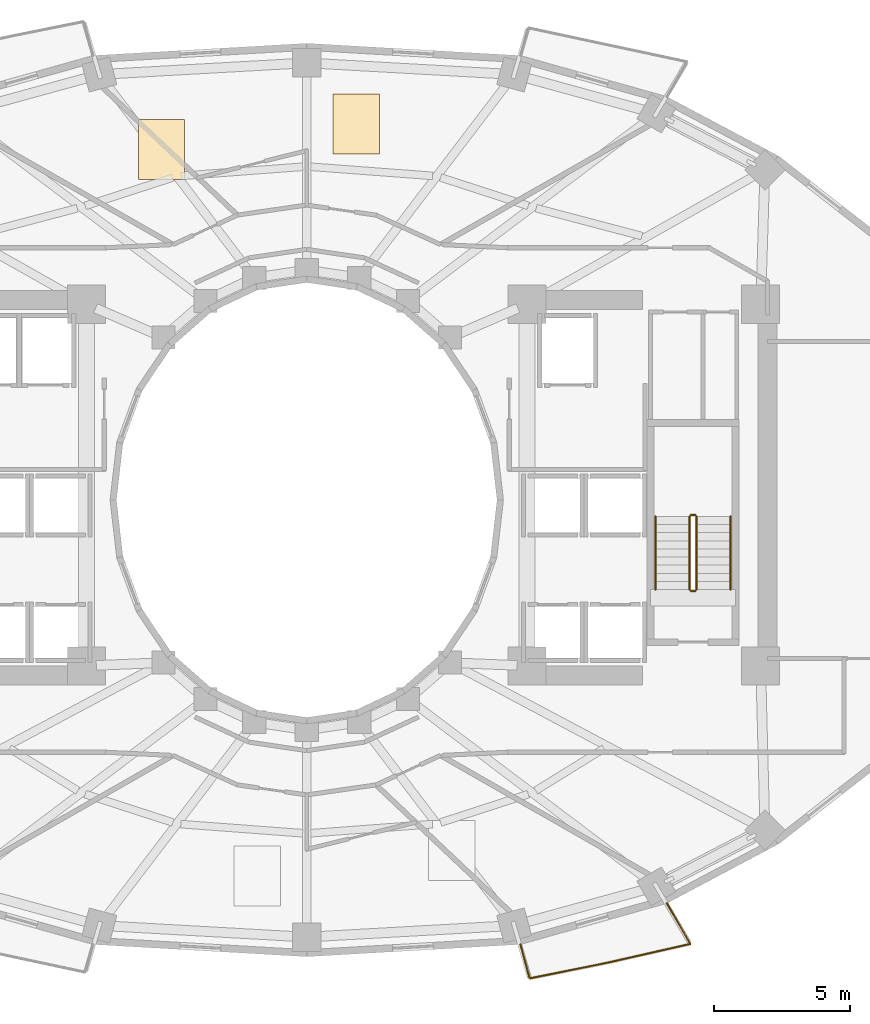
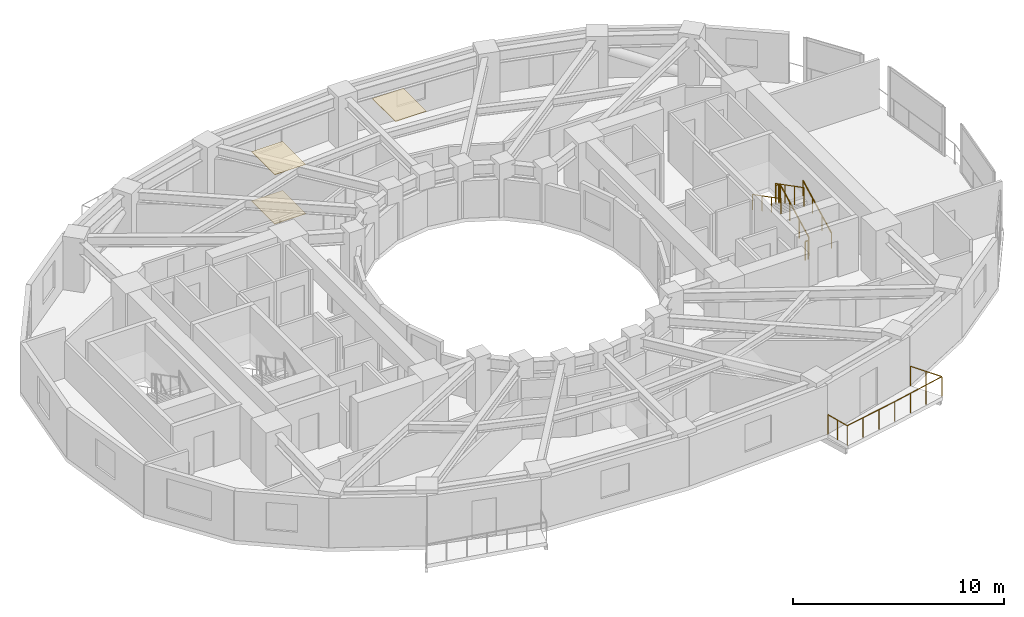
# One storey, part 13 of 14: 7 railings, 3 coverings.
"""IFC4 building model written with IfcOpenShell, lengths in metres."""

import ifcopenshell
import ifcopenshell.guid

model = None  # the IFC model being written
_history = None  # IfcOwnerHistory: only IFC2X3 demands one
_inside = {}  # id of a spatial element -> (the spatial element, [elements in it])
_under = {}  # id of a project, library or spatial element -> (it, [spatial elements below it])
_declared = {}  # id of a project -> (the project, [libraries it declares])
_typed = {}  # id of a type object -> (the type object, [elements of that type])
_made_of = {}  # id of a material, layer set ... -> (it, [elements and type objects made of it])


def new_model(schema):
    """Start an empty IFC model of exactly this schema.

    Asked for "IFC4X3", IfcOpenShell would pick the latest addendum, in which some entities
    have other attributes; the version numbers below select the first issue.
    IFC2X3 requires an IfcOwnerHistory on every rooted entity: one is made here for all.
    """
    global model, _history
    if schema == "IFC4X3":
        model = ifcopenshell.file(schema_version=(4, 3, 0, 0))
    else:
        model = ifcopenshell.file(schema=schema)
    _inside.clear()
    _under.clear()
    _declared.clear()
    _typed.clear()
    _made_of.clear()
    _history = None
    if model.schema == "IFC2X3":
        org = make("IfcOrganization", Name="unknown")
        user = make(
            "IfcPersonAndOrganization",
            ThePerson=make("IfcPerson", FamilyName="unknown"),
            TheOrganization=org,
        )
        app = make(
            "IfcApplication",
            ApplicationDeveloper=org,
            Version="unknown",
            ApplicationFullName="unknown",
            ApplicationIdentifier="unknown",
        )
        _history = make(
            "IfcOwnerHistory",
            OwningUser=user,
            OwningApplication=app,
            ChangeAction="ADDED",
            CreationDate=0,
        )
    return model


def make(cls, **values):
    """One entity of the class cls with the attributes given. An attribute that is None is left unset."""
    return model.create_entity(
        cls, **{name: value for name, value in values.items() if value is not None}
    )


def rooted(cls, **values):
    """An entity with a GlobalId (a new one), such as an element, a storey or a relation."""
    return make(cls, GlobalId=ifcopenshell.guid.new(), OwnerHistory=_history, **values)


def si_unit(unit_type, name, prefix=None):
    """IfcSIUnit, for example si_unit("LENGTHUNIT", "METRE", prefix="MILLI")."""
    return make("IfcSIUnit", UnitType=unit_type, Prefix=prefix, Name=name)


def assignment(units):
    """IfcUnitAssignment: the units of a project."""
    return None if units is None else make("IfcUnitAssignment", Units=units)


def point(xyz):
    """IfcCartesianPoint."""
    return None if xyz is None else make("IfcCartesianPoint", Coordinates=xyz)


def direction(xyz):
    """IfcDirection."""
    return None if xyz is None else make("IfcDirection", DirectionRatios=xyz)


def frame(location, z_axis=None, x_axis=None):
    """IfcAxis2Placement3D, a coordinate frame: its origin and axes. An axis left out is left unset."""
    return make(
        "IfcAxis2Placement3D",
        Location=point(location),
        Axis=direction(z_axis),
        RefDirection=direction(x_axis),
    )


def frame_2d(location, x_axis=None):
    """IfcAxis2Placement2D, a coordinate frame in the plane: its origin and x axis."""
    return make(
        "IfcAxis2Placement2D", Location=point(location), RefDirection=direction(x_axis)
    )


def origin():
    """The frame at (0, 0, 0) with its axes left unset."""
    return frame((0.0, 0.0, 0.0))


def origin_2d():
    """The frame at (0, 0) in the plane with its x axis left unset."""
    return frame_2d((0.0, 0.0))


def place(relative_to, where):
    """IfcLocalPlacement: puts the frame where relative to a parent placement (None: the world)."""
    return make(
        "IfcLocalPlacement", PlacementRelTo=relative_to, RelativePlacement=where
    )


def context(
    kind, dimensions, precision=None, world=None, true_north=None, identifier=None
):
    """IfcGeometricRepresentationContext, for example the 3D "Model" context."""
    return make(
        "IfcGeometricRepresentationContext",
        ContextIdentifier=identifier,
        ContextType=kind,
        CoordinateSpaceDimension=dimensions,
        Precision=precision,
        WorldCoordinateSystem=world,
        TrueNorth=true_north,
    )


def subcontext(parent, identifier, kind, view, scale=None):
    """IfcGeometricRepresentationSubContext, for example "Body" below "Model"."""
    return make(
        "IfcGeometricRepresentationSubContext",
        ContextIdentifier=identifier,
        ContextType=kind,
        ParentContext=parent,
        TargetScale=scale,
        TargetView=view,
    )


def project(units=None, contexts=None):
    """IfcProject with its units and contexts."""
    return rooted(
        "IfcProject",
        Name="project",
        RepresentationContexts=contexts,
        UnitsInContext=assignment(units),
    )


def spatial(cls, under=None, at=None, **own):
    """A site, building, storey or space (cls), placed at a placement, below another one or the project."""
    s = rooted(cls, ObjectPlacement=at, **own)
    if under is not None:
        _under.setdefault(under.id(), (under, []))[1].append(s)
    return s


def polyline(points):
    """IfcPolyline through the points."""
    return make("IfcPolyline", Points=[point(p) for p in points])


def profile(cls, at=None, kind="AREA", **sizes):
    """A parametric profile (cls). Its sizes go by their IFC names, for example OverallWidth=200.0."""
    return make(cls, ProfileType=kind, Position=at, **sizes)


def circle(**sizes):
    """IfcCircleProfileDef."""
    return profile("IfcCircleProfileDef", **sizes)


def outline(outer, holes=None, kind="AREA"):
    """IfcArbitraryClosedProfileDef: a profile drawn as a closed curve; with holes, ...WithVoids."""
    if holes is None:
        return make("IfcArbitraryClosedProfileDef", ProfileType=kind, OuterCurve=outer)
    return make(
        "IfcArbitraryProfileDefWithVoids",
        ProfileType=kind,
        OuterCurve=outer,
        InnerCurves=holes,
    )


def extrude(swept, where, along, depth):
    """IfcExtrudedAreaSolid: the profile swept, set in the frame where, extruded along a direction by depth."""
    return make(
        "IfcExtrudedAreaSolid",
        SweptArea=swept,
        Position=where,
        ExtrudedDirection=direction(along),
        Depth=depth,
    )


def shape(context_of_items, identifier, shape_type, items):
    """IfcShapeRepresentation: the items that make up one representation, for example the "Body"."""
    return make(
        "IfcShapeRepresentation",
        ContextOfItems=context_of_items,
        RepresentationIdentifier=identifier,
        RepresentationType=shape_type,
        Items=items,
    )


def material(Name=None, Category=None):
    """IfcMaterial."""
    return make("IfcMaterial", Name=Name, Category=Category)


def layer(
    of_material, thickness, ventilated=None, Name=None, Category=None, Priority=None
):
    """IfcMaterialLayer: one layer of a wall or slab, of a material (None: an air gap)."""
    return make(
        "IfcMaterialLayer",
        Material=of_material,
        LayerThickness=thickness,
        IsVentilated=ventilated,
        Name=Name,
        Category=Category,
        Priority=Priority,
    )


def layer_set(layers, Name=None):
    """IfcMaterialLayerSet."""
    return make("IfcMaterialLayerSet", MaterialLayers=layers, LayerSetName=Name)


def made_of(thing, what):
    """Note that an element or type object is made of a material, layer set ...; save() writes the relation."""
    if what is not None:
        _made_of.setdefault(what.id(), (what, []))[1].append(thing)
    return thing


def type_object(cls, material=None, **own):
    """A type object (cls), such as IfcWallType, which elements share."""
    return made_of(rooted(cls, **own), material)


def element(
    cls,
    number,
    at=None,
    inside=None,
    cuts=None,
    type_object=None,
    material=None,
    context=None,
    identifier="Body",
    shape_type=None,
    held_by="IfcProductDefinitionShape",
    body=None,
    shapes=None,
    **own,
):
    """One element of the class cls, such as IfcWall. Its Tag is "e" and its number.

    at: its placement. inside: the storey or other place that contains it. cuts: it is an
    opening in that element (IfcRelVoidsElement). A single representation is given by context,
    identifier, shape_type and body (its items); several are given by shapes. held_by: the class
    of the entity that holds the representations. save() writes the other relations.
    """
    e = rooted(cls, Tag="e%d" % number, ObjectPlacement=at, **own)
    if body is not None:
        shapes = [shape(context, identifier, shape_type, body)]
    if shapes is not None:
        e.Representation = make(held_by, Representations=shapes)
    if inside is not None:
        _inside.setdefault(inside.id(), (inside, []))[1].append(e)
    if cuts is not None:
        rooted(
            "IfcRelVoidsElement", RelatingBuildingElement=cuts, RelatedOpeningElement=e
        )
    if type_object is not None:
        _typed.setdefault(type_object.id(), (type_object, []))[1].append(e)
    return made_of(e, material)


def aggregate(whole, parts):
    """IfcRelAggregates: a whole, such as a stair, and the parts it consists of."""
    return rooted("IfcRelAggregates", RelatingObject=whole, RelatedObjects=parts)


def save(model, path):
    """Write the relations noted so far, then the file.

    IfcRelAggregates (storeys below a building ...), IfcRelContainedInSpatialStructure (elements
    in a storey), IfcRelDefinesByType, IfcRelAssociatesMaterial and IfcRelDeclares: one each for
    every whole, place, type object, material and project.
    """
    for whole, parts in _under.values():
        aggregate(whole, parts)
    for where, things in _inside.values():
        rooted(
            "IfcRelContainedInSpatialStructure",
            RelatedElements=things,
            RelatingStructure=where,
        )
    for kind, things in _typed.values():
        rooted("IfcRelDefinesByType", RelatedObjects=things, RelatingType=kind)
    for what, things in _made_of.values():
        rooted("IfcRelAssociatesMaterial", RelatedObjects=things, RelatingMaterial=what)
    for by, libraries in _declared.values():
        rooted("IfcRelDeclares", RelatingContext=by, RelatedDefinitions=libraries)
    model.write(path)


model = new_model("IFC4")

# Units and contexts
model_context = context("Model", 3, precision=1e-05, world=origin(), true_north=direction((0.0, 1.0)))
body_context = subcontext(model_context, "Body", "Model", "MODEL_VIEW")
ifc_project = project(units=[si_unit("LENGTHUNIT", "METRE"), si_unit("AREAUNIT", "SQUARE_METRE"), si_unit("VOLUMEUNIT", "CUBIC_METRE"), si_unit("PLANEANGLEUNIT", "RADIAN"), si_unit("MASSUNIT", "GRAM", prefix="KILO")], contexts=[model_context])

# Site, building, storey
site_placement = place(None, origin())
site = spatial("IfcSite", under=ifc_project, at=site_placement, CompositionType="ELEMENT")
building_placement = place(site_placement, origin())
building = spatial("IfcBuilding", under=site, at=building_placement, Name="Solvane Sanctuary Tower", CompositionType="ELEMENT")
storey_placement = place(building_placement, frame((0.0, 0.0, 88.699951171875)))
storey = spatial("IfcBuildingStorey", under=building, at=storey_placement, Name="L26", CompositionType="ELEMENT", Elevation=88.699951171875)

# Coverings
ifc_material_1 = material(Name="Acoustic Gypsum Partition Board")
ifc_layer_1 = layer(ifc_material_1, 0.02490234375, Name="Acoustic Gypsum Partition Board")
ifc_layer_set_1 = layer_set([ifc_layer_1], Name="Acoustic Gypsum Partition Board")
covering_type_1 = type_object("IfcCoveringType", Name="Covering CLG-ACOUST", PredefinedType="CEILING", material=ifc_layer_set_1)
covering_1_placement = place(storey_placement, frame((0.0, 0.0, 2.85009765625)))
element("IfcCovering", 1, at=covering_1_placement, inside=storey, type_object=covering_type_1, Name="L26 Unit Acoustic Ceiling Panel 1", PredefinedType="CEILING", context=body_context, shape_type="SweptSolid", body=[
    extrude(outline(polyline([(32.970947265625, 35.73095703125), (34.6708984375, 35.73095703125), (34.6708984375, 37.930908203125), (32.970947265625, 37.930908203125), (32.970947265625, 35.73095703125)])), origin(), (0.0, 0.0, 1.0), 0.030029296875),
])
covering_2_placement = place(storey_placement, frame((0.0, 0.0, 2.85009765625)))
element("IfcCovering", 2, at=covering_2_placement, inside=storey, type_object=covering_type_1, Name="L26 Unit Acoustic Ceiling Panel 2", PredefinedType="CEILING", context=body_context, shape_type="SweptSolid", body=[
    extrude(outline(polyline([(25.81201171875, 34.7880859375), (27.511962890625, 34.7880859375), (27.511962890625, 36.988037109375), (25.81201171875, 36.988037109375), (25.81201171875, 34.7880859375)])), origin(), (0.0, 0.0, 1.0), 0.030029296875),
])
ifc_material_2 = material(Name="Ceramic Tile Finish")
ifc_layer_2 = layer(ifc_material_2, 0.030029296875, Name="Ceramic Tile Finish")
ifc_layer_set_2 = layer_set([ifc_layer_2], Name="Ceramic Tile Finish")
covering_type_2 = type_object("IfcCoveringType", Name="Covering FLR-TERRAZZO", PredefinedType="FLOORING", material=ifc_layer_set_2)
covering_3_placement = place(storey_placement, origin())
element("IfcCovering", 3, at=covering_3_placement, inside=storey, type_object=covering_type_2, Name="L26 Unit Terrazzo Inlay 2", PredefinedType="FLOORING", context=body_context, shape_type="SweptSolid", body=[
    extrude(outline(polyline([(25.81201171875, 34.7880859375), (27.511962890625, 34.7880859375), (27.511962890625, 36.988037109375), (25.81201171875, 36.988037109375), (25.81201171875, 34.7880859375)])), origin(), (0.0, 0.0, 1.0), 0.03515625),
])

# Railings
ifc_material_3 = material(Name="Architectural Stainless Steel 316", Category="steel")
railing_type_1 = type_object("IfcRailingType", Name="Railing GR-BALC-1150", PredefinedType="BALUSTRADE", material=ifc_material_3)
railing_1_placement = place(storey_placement, frame((39.861328125, 6.652587890625, 0.0)))
element("IfcRailing", 4, at=railing_1_placement, inside=storey, type_object=railing_type_1, Name="L26 Wave Balcony Balustrade S2", PredefinedType="BALUSTRADE", context=body_context, shape_type="SweptSolid", body=[
    extrude(circle(Radius=0.02392578125, at=origin_2d()), frame((0.0, 0.0, 1.1259765625), z_axis=(0.258940032115, -0.965893399795, 0.0), x_axis=(0.965893399795, 0.258940032115, 0.0)), (0.0, 0.0, 1.0), 1.29638671875),
    extrude(circle(Radius=0.02392578125, at=origin_2d()), frame((0.335693359375, -1.252197265625, 1.1259765625), z_axis=(0.980143629302, 0.198288844714, 0.0), x_axis=(-0.198288844714, 0.980143629302, 0.0)), (0.0, 0.0, 1.0), 3.0029296875),
    extrude(circle(Radius=0.02392578125, at=origin_2d()), frame((3.279052734375, -0.65673828125, 1.1259765625), z_axis=(0.97511396241, 0.221704218076, 0.0), x_axis=(-0.221704218076, 0.97511396241, 0.0)), (0.0, 0.0, 1.0), 3.047119140625),
    extrude(circle(Radius=0.02392578125, at=origin_2d()), frame((6.250244140625, 0.018798828125, 1.1259765625), z_axis=(-0.500098305348, 0.865968639725, 0.0), x_axis=(-0.865968639725, -0.500098305348, 0.0)), (0.0, 0.0, 1.0), 1.724365234375),
    extrude(circle(Radius=0.02099609375, at=origin_2d()), origin(), (0.0, 0.0, 1.0), 1.101806640625),
    extrude(circle(Radius=0.02099609375, at=origin_2d()), frame((0.16796875, -0.6259765625, 0.0)), (0.0, 0.0, 1.0), 1.101806640625),
    extrude(circle(Radius=0.02099609375, at=origin_2d()), frame((0.335693359375, -1.252197265625, 0.0)), (0.0, 0.0, 1.0), 1.101806640625),
    extrude(circle(Radius=0.02099609375, at=origin_2d()), frame((1.31689453125, -1.0537109375, 0.0)), (0.0, 0.0, 1.0), 1.101806640625),
    extrude(circle(Radius=0.02099609375, at=origin_2d()), frame((2.2978515625, -0.855224609375, 0.0)), (0.0, 0.0, 1.0), 1.101806640625),
    extrude(circle(Radius=0.02099609375, at=origin_2d()), frame((3.279052734375, -0.65673828125, 0.0)), (0.0, 0.0, 1.0), 1.101806640625),
    extrude(circle(Radius=0.02099609375, at=origin_2d()), frame((4.26953125, -0.431640625, 0.0)), (0.0, 0.0, 1.0), 1.101806640625),
    extrude(circle(Radius=0.02099609375, at=origin_2d()), frame((5.259765625, -0.206298828125, 0.0)), (0.0, 0.0, 1.0), 1.101806640625),
    extrude(circle(Radius=0.02099609375, at=origin_2d()), frame((6.250244140625, 0.018798828125, 0.0)), (0.0, 0.0, 1.0), 1.101806640625),
    extrude(circle(Radius=0.02099609375, at=origin_2d()), frame((5.819091796875, 0.765380859375, 0.0)), (0.0, 0.0, 1.0), 1.101806640625),
    extrude(circle(Radius=0.02099609375, at=origin_2d()), frame((5.387939453125, 1.511962890625, 0.0)), (0.0, 0.0, 1.0), 1.101806640625),
])
railing_2_placement = place(storey_placement, frame((46.340087890625, 19.699951171875, 0.155029296875)))
element("IfcRailing", 5, at=railing_2_placement, inside=storey, type_object=railing_type_1, Name="L26 ST-2 stair guard 1", PredefinedType="BALUSTRADE", context=body_context, shape_type="SweptSolid", body=[
    extrude(circle(Radius=0.02392578125, at=origin_2d()), frame((0.0, 0.0, 1.076171875), z_axis=(0.0, 0.888419900624, 0.459031676658), x_axis=(-1.0, 0.0, 0.0)), (0.0, 0.0, 1.0), 3.0390625),
    extrude(circle(Radius=0.02099609375, at=origin_2d()), origin(), (0.0, 0.0, 1.0), 1.052001953125),
    extrude(circle(Radius=0.02099609375, at=origin_2d()), frame((0.0, 0.89990234375, 0.465087890625)), (0.0, 0.0, 1.0), 1.052001953125),
    extrude(circle(Radius=0.02099609375, at=origin_2d()), frame((0.0, 1.800048828125, 0.929931640625)), (0.0, 0.0, 1.0), 1.052001953125),
    extrude(circle(Radius=0.02099609375, at=origin_2d()), frame((0.0, 2.699951171875, 1.39501953125)), (0.0, 0.0, 1.0), 1.052001953125),
])
railing_3_placement = place(storey_placement, frame((46.2900390625, 22.449951171875, 1.550048828125)))
element("IfcRailing", 6, at=railing_3_placement, inside=storey, type_object=railing_type_1, Name="L26 ST-2 stair guard 2", PredefinedType="BALUSTRADE", context=body_context, shape_type="SweptSolid", body=[
    extrude(circle(Radius=0.02392578125, at=origin_2d()), frame((0.0, 0.0, 1.076171875), z_axis=(-1.0, 0.0, 0.0), x_axis=(0.0, -1.0, 0.0)), (0.0, 0.0, 1.0), 0.16015625),
    extrude(circle(Radius=0.02099609375, at=origin_2d()), origin(), (0.0, 0.0, 1.0), 1.052001953125),
    extrude(circle(Radius=0.02099609375, at=origin_2d()), frame((-0.16015625, 0.0, 0.0)), (0.0, 0.0, 1.0), 1.052001953125),
])
railing_4_placement = place(storey_placement, frame((46.080078125, 22.39990234375, 1.705078125)))
element("IfcRailing", 7, at=railing_4_placement, inside=storey, type_object=railing_type_1, Name="L26 ST-2 stair guard 3", PredefinedType="BALUSTRADE", context=body_context, shape_type="SweptSolid", body=[
    extrude(circle(Radius=0.02392578125, at=origin_2d()), frame((0.0, 0.0, 1.076171875), z_axis=(0.0, -0.888419900624, 0.459031676658), x_axis=(1.0, 0.0, 0.0)), (0.0, 0.0, 1.0), 3.0390625),
    extrude(circle(Radius=0.02099609375, at=origin_2d()), origin(), (0.0, 0.0, 1.0), 1.052001953125),
    extrude(circle(Radius=0.02099609375, at=origin_2d()), frame((0.0, -0.89990234375, 0.465087890625)), (0.0, 0.0, 1.0), 1.052001953125),
    extrude(circle(Radius=0.02099609375, at=origin_2d()), frame((0.0, -1.800048828125, 0.929931640625)), (0.0, 0.0, 1.0), 1.052001953125),
    extrude(circle(Radius=0.02099609375, at=origin_2d()), frame((0.0, -2.699951171875, 1.39501953125)), (0.0, 0.0, 1.0), 1.052001953125),
])
railing_5_placement = place(storey_placement, frame((46.2900390625, 19.64990234375, 0.0)))
element("IfcRailing", 8, at=railing_5_placement, inside=storey, type_object=railing_type_1, Name="L26 ST-2 stair guard 4", PredefinedType="BALUSTRADE", context=body_context, shape_type="SweptSolid", body=[
    extrude(circle(Radius=0.02392578125, at=origin_2d()), frame((0.0, 0.0, 1.076171875), z_axis=(-1.0, 0.0, 0.0), x_axis=(0.0, -1.0, 0.0)), (0.0, 0.0, 1.0), 0.16015625),
    extrude(circle(Radius=0.02099609375, at=origin_2d()), origin(), (0.0, 0.0, 1.0), 1.052001953125),
    extrude(circle(Radius=0.02099609375, at=origin_2d()), frame((-0.16015625, 0.0, 0.0)), (0.0, 0.0, 1.0), 1.052001953125),
])
railing_type_2 = type_object("IfcRailingType", Name="Railing HR-STAIR-920", PredefinedType="HANDRAIL", material=ifc_material_3)
railing_6_placement = place(storey_placement, frame((47.590087890625, 19.699951171875, 0.155029296875)))
element("IfcRailing", 9, at=railing_6_placement, inside=storey, type_object=railing_type_2, Name="L26 ST-2 stair handrail 1", PredefinedType="HANDRAIL", context=body_context, shape_type="SweptSolid", body=[
    extrude(circle(Radius=0.02392578125, at=origin_2d()), frame((0.0, 0.0, 0.8759765625), z_axis=(0.0, 0.888419900624, 0.459031676658), x_axis=(-1.0, 0.0, 0.0)), (0.0, 0.0, 1.0), 3.0390625),
    extrude(circle(Radius=0.02099609375, at=origin_2d()), origin(), (0.0, 0.0, 1.0), 0.851806640625),
    extrude(circle(Radius=0.02099609375, at=origin_2d()), frame((0.0, 0.89990234375, 0.465087890625)), (0.0, 0.0, 1.0), 0.851806640625),
    extrude(circle(Radius=0.02099609375, at=origin_2d()), frame((0.0, 1.800048828125, 0.929931640625)), (0.0, 0.0, 1.0), 0.851806640625),
    extrude(circle(Radius=0.02099609375, at=origin_2d()), frame((0.0, 2.699951171875, 1.39501953125)), (0.0, 0.0, 1.0), 0.851806640625),
])
railing_7_placement = place(storey_placement, frame((44.830078125, 22.39990234375, 1.705078125)))
element("IfcRailing", 10, at=railing_7_placement, inside=storey, type_object=railing_type_2, Name="L26 ST-2 stair handrail 2", PredefinedType="HANDRAIL", context=body_context, shape_type="SweptSolid", body=[
    extrude(circle(Radius=0.02392578125, at=origin_2d()), frame((0.0, 0.0, 0.8759765625), z_axis=(0.0, -0.888419900624, 0.459031676658), x_axis=(1.0, 0.0, 0.0)), (0.0, 0.0, 1.0), 3.0390625),
    extrude(circle(Radius=0.02099609375, at=origin_2d()), origin(), (0.0, 0.0, 1.0), 0.851806640625),
    extrude(circle(Radius=0.02099609375, at=origin_2d()), frame((0.0, -0.89990234375, 0.465087890625)), (0.0, 0.0, 1.0), 0.851806640625),
    extrude(circle(Radius=0.02099609375, at=origin_2d()), frame((0.0, -1.800048828125, 0.929931640625)), (0.0, 0.0, 1.0), 0.851806640625),
    extrude(circle(Radius=0.02099609375, at=origin_2d()), frame((0.0, -2.699951171875, 1.39501953125)), (0.0, 0.0, 1.0), 0.851806640625),
])

save(model, "model.ifc")
